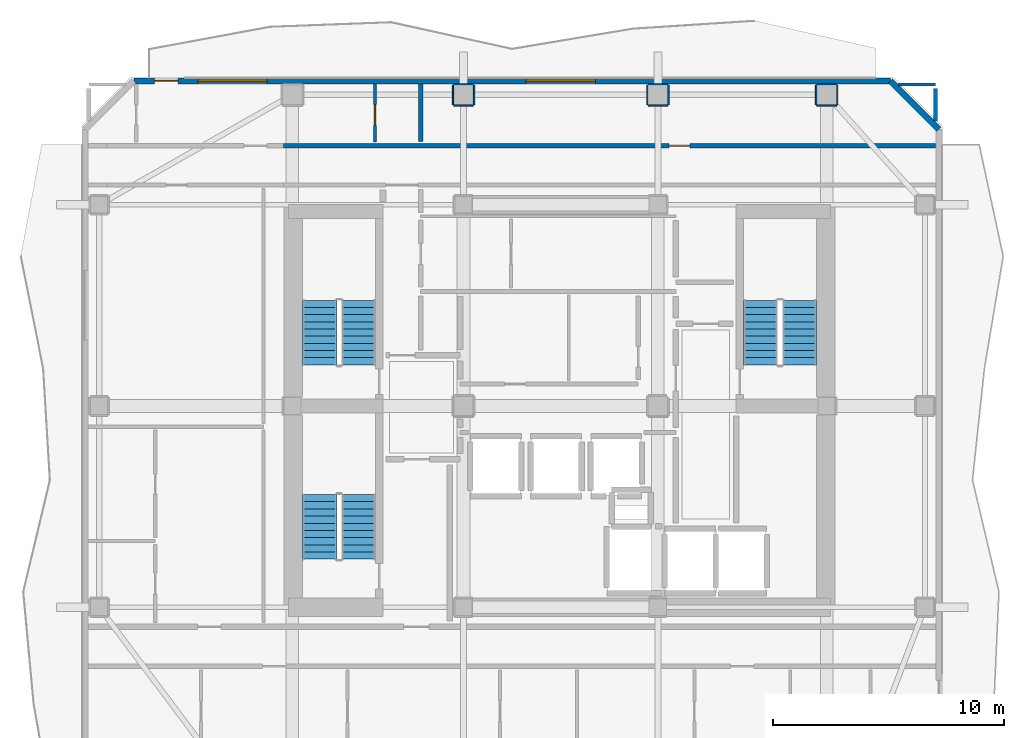
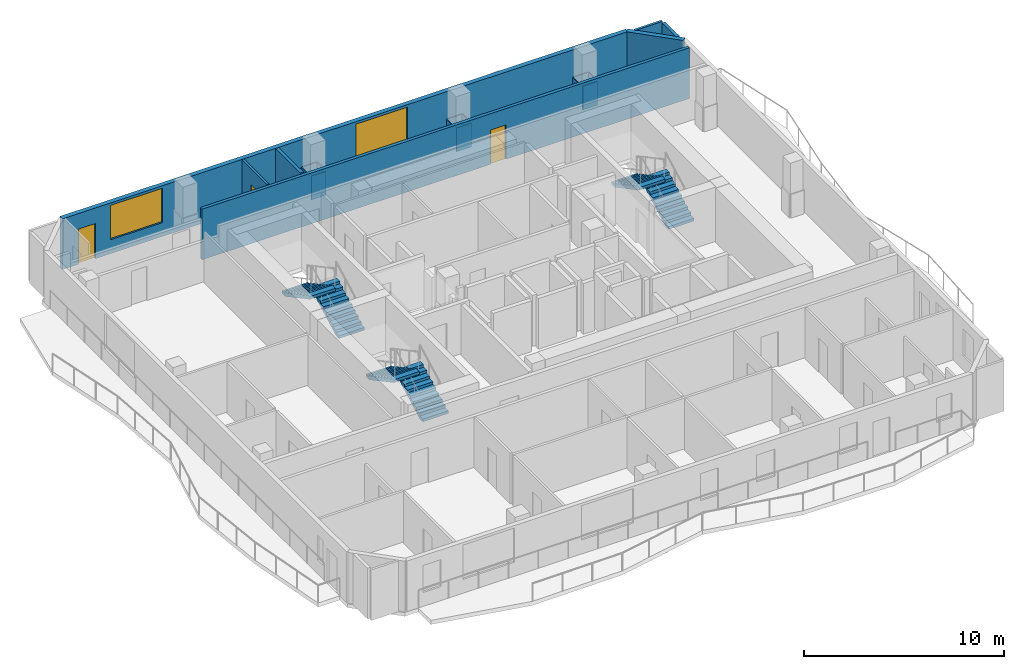
# One storey, part 6 of 10: 19 walls, 6 stair flights, 3 doors, 2 windows, 5 openings, 3 elements without a shape of their own.
"""IFC4 building model written with IfcOpenShell, lengths in metres."""

from ifc_helpers import new_model, si_unit, direction, frame, frame_2d, origin, place, context, subcontext, project, spatial, polyline, rectangle, outline, extrude, material, layer, layer_set, type_object, element, fill, aggregate, save


model = new_model("IFC4")

# Units and contexts
model_context = context("Model", 3, precision=1e-05, world=origin(), true_north=direction((0.0, 1.0)))
body_context = subcontext(model_context, "Body", "Model", "MODEL_VIEW")
ifc_project = project(units=[si_unit("LENGTHUNIT", "METRE"), si_unit("AREAUNIT", "SQUARE_METRE"), si_unit("VOLUMEUNIT", "CUBIC_METRE"), si_unit("PLANEANGLEUNIT", "RADIAN"), si_unit("MASSUNIT", "GRAM", prefix="KILO")], contexts=[model_context])

# Site, building, storey
site_placement = place(None, origin())
site = spatial("IfcSite", under=ifc_project, at=site_placement, CompositionType="ELEMENT")
building_placement = place(site_placement, origin())
building = spatial("IfcBuilding", under=site, at=building_placement, Name="Solanera Arch Residences", CompositionType="ELEMENT")
storey_placement = place(building_placement, frame((0.0, 0.0, 200.1201171875)))
storey = spatial("IfcBuildingStorey", under=building, at=storey_placement, Name="L58", CompositionType="ELEMENT", Elevation=200.1201171875)

# Walls
ifc_material_1 = material(Name="Fire-Rated Gypsum Stud Partition", Category="gypsum")
ifc_layer_1 = layer(ifc_material_1, 0.06005859375)
ifc_layer_set_1 = layer_set([ifc_layer_1], Name="Fire-Rated Gypsum Stud Partition")
wall_type_1 = type_object("IfcWallType", Name="Column Acoustic Furring Wall 60", PredefinedType="PARTITIONING", material=ifc_layer_set_1)
for number, where, z_axis, x_axis, name in (
    (1, (20.375, 43.693115234375, 0.0), (0.0, 0.0, 1.0), (1.0, 0.0, 0.0), "L58 Column Furring 12S"),
    (2, (20.375, 44.60693359375, 0.0), (0.0, 0.0, 1.0), (1.0, 0.0, 0.0), "L58 Column Furring 12N"),
):
    element("IfcWall", number, at=place(storey_placement, frame(where, z_axis=z_axis, x_axis=x_axis)), inside=storey, type_object=wall_type_1, Name=name, PredefinedType="PARTITIONING", context=body_context, shape_type="SweptSolid", body=[
        extrude(rectangle(XDim=0.85009765625, YDim=0.06005859375, at=frame_2d((0.425048828125, 0.0))), origin(), (0.0, 0.0, 1.0), 1.449951171875),
    ])
for number, where, z_axis, x_axis, name in (
    (3, (20.343017578125, 43.72509765625, 0.0), (0.0, 0.0, 1.0), (0.0, 1.0, 0.0), "L58 Column Furring 12W"),
    (4, (21.257080078125, 43.72509765625, 0.0), (0.0, 0.0, 1.0), (0.0, 1.0, 0.0), "L58 Column Furring 12E"),
):
    element("IfcWall", number, at=place(storey_placement, frame(where, z_axis=z_axis, x_axis=x_axis)), inside=storey, type_object=wall_type_1, Name=name, PredefinedType="PARTITIONING", context=body_context, shape_type="SweptSolid", body=[
        extrude(rectangle(XDim=0.849853515625, YDim=0.06005859375, at=frame_2d((0.4248046875, 0.0))), origin(), (0.0, 0.0, 1.0), 1.449951171875),
    ])
for number, where, z_axis, x_axis, name in (
    (5, (28.77490234375, 43.693115234375, 0.0), (0.0, 0.0, 1.0), (1.0, 0.0, 0.0), "L58 Column Furring 14S"),
    (6, (28.77490234375, 44.60693359375, 0.0), (0.0, 0.0, 1.0), (1.0, 0.0, 0.0), "L58 Column Furring 14N"),
):
    element("IfcWall", number, at=place(storey_placement, frame(where, z_axis=z_axis, x_axis=x_axis)), inside=storey, type_object=wall_type_1, Name=name, PredefinedType="PARTITIONING", context=body_context, shape_type="SweptSolid", body=[
        extrude(rectangle(XDim=0.85009765625, YDim=0.06005859375, at=frame_2d((0.425048828125, 0.0))), origin(), (0.0, 0.0, 1.0), 1.449951171875),
    ])
for number, where, z_axis, x_axis, name in (
    (7, (28.742919921875, 43.72509765625, 0.0), (0.0, 0.0, 1.0), (0.0, 1.0, 0.0), "L58 Column Furring 14W"),
    (8, (29.656982421875, 43.72509765625, 0.0), (0.0, 0.0, 1.0), (0.0, 1.0, 0.0), "L58 Column Furring 14E"),
):
    element("IfcWall", number, at=place(storey_placement, frame(where, z_axis=z_axis, x_axis=x_axis)), inside=storey, type_object=wall_type_1, Name=name, PredefinedType="PARTITIONING", context=body_context, shape_type="SweptSolid", body=[
        extrude(rectangle(XDim=0.849853515625, YDim=0.06005859375, at=frame_2d((0.4248046875, 0.0))), origin(), (0.0, 0.0, 1.0), 1.449951171875),
    ])
for number, where, z_axis, x_axis, name in (
    (9, (36.074951171875, 43.693115234375, 0.0), (0.0, 0.0, 1.0), (1.0, 0.0, 0.0), "L58 Column Furring 16S"),
    (10, (36.074951171875, 44.60693359375, 0.0), (0.0, 0.0, 1.0), (1.0, 0.0, 0.0), "L58 Column Furring 16N"),
):
    element("IfcWall", number, at=place(storey_placement, frame(where, z_axis=z_axis, x_axis=x_axis)), inside=storey, type_object=wall_type_1, Name=name, PredefinedType="PARTITIONING", context=body_context, shape_type="SweptSolid", body=[
        extrude(rectangle(XDim=0.85009765625, YDim=0.06005859375, at=frame_2d((0.425048828125, 0.0))), origin(), (0.0, 0.0, 1.0), 1.449951171875),
    ])
for number, where, z_axis, x_axis, name in (
    (11, (36.04296875, 43.72509765625, 0.0), (0.0, 0.0, 1.0), (0.0, 1.0, 0.0), "L58 Column Furring 16W"),
    (12, (36.95703125, 43.72509765625, 0.0), (0.0, 0.0, 1.0), (0.0, 1.0, 0.0), "L58 Column Furring 16E"),
):
    element("IfcWall", number, at=place(storey_placement, frame(where, z_axis=z_axis, x_axis=x_axis)), inside=storey, type_object=wall_type_1, Name=name, PredefinedType="PARTITIONING", context=body_context, shape_type="SweptSolid", body=[
        extrude(rectangle(XDim=0.849853515625, YDim=0.06005859375, at=frame_2d((0.4248046875, 0.0))), origin(), (0.0, 0.0, 1.0), 1.449951171875),
    ])

# Wall, opening, door
ifc_material_2 = material(Name="Autoclaved Aerated Concrete Blockwork", Category="masonry")
ifc_layer_2 = layer(ifc_material_2, 0.179931640625)
ifc_layer_set_2 = layer_set([ifc_layer_2], Name="Autoclaved Aerated Concrete Blockwork")
wall_type_2 = type_object("IfcWallType", Name="Corridor Fire Partition 180", PredefinedType="PARTITIONING", material=ifc_layer_set_2)
wall_1_placement = place(storey_placement, frame((13.011962890625, 41.949951171875, 0.0), z_axis=(0.0, 0.0, 1.0), x_axis=(1.0, 0.0, 0.0)))
wall_1 = element("IfcWall", 13, at=wall_1_placement, inside=storey, type_object=wall_type_2, Name="L58 Interior Partition H12 3", PredefinedType="PARTITIONING", context=body_context, shape_type="SweptSolid", body=[
    extrude(rectangle(XDim=28.200927734375, YDim=0.179931640625, at=frame_2d((14.1005859375, 0.0))), origin(), (0.0, 0.0, 1.0), 3.099853515625),
])
opening_1_placement = place(wall_1_placement, frame((16.674072265625, 0.0, 0.0)))
opening_1 = element("IfcOpeningElement", 14, at=opening_1_placement, cuts=wall_1, Name="Opening DI-02", PredefinedType="OPENING", context=body_context, shape_type="SweptSolid", body=[
    extrude(rectangle(XDim=0.89990234375, YDim=2.10009765625, at=frame_2d((0.449951171875, 1.050048828125))), frame((0.0, 0.10009765625, 0.0), z_axis=(0.0, -1.0, 0.0), x_axis=(1.0, 0.0, 0.0)), (0.0, 0.0, 1.0), 0.1999),
])
ifc_material_3 = material(Name="Fire-Rated Architectural Hardwood", Category="wood")
door_type_1 = type_object("IfcDoorType", Name="Suite Room Swing Door DI-02", OperationType="NOTDEFINED", PredefinedType="DOOR", material=ifc_material_3)
door_1_placement = place(opening_1_placement, origin())
door_1 = element("IfcDoor", 15, at=door_1_placement, inside=storey, type_object=door_type_1, Name="DR-L58-IN-031", OperationType="SINGLE_SWING_LEFT", OverallHeight=2.10009765625, OverallWidth=0.89990234375, PredefinedType="DOOR", context=body_context, shape_type="SweptSolid", body=[
    extrude(rectangle(XDim=0.89990234375, YDim=2.10009765625, at=frame_2d((0.449951171875, 1.050048828125))), frame((0.0, 0.02490234375, 0.0), z_axis=(0.0, -1.0, 0.0), x_axis=(1.0, 0.0, 0.0)), (0.0, 0.0, 1.0), 0.050048828125),
])
fill(opening_1, door_1)

# Walls
wall_2_placement = place(storey_placement, frame((18.949951171875, 42.137939453125, 0.0), z_axis=(0.0, 0.0, 1.0), x_axis=(0.0, 1.0, 0.0)))
element("IfcWall", 16, at=wall_2_placement, inside=storey, type_object=wall_type_2, Name="L58 Interior Partition V8", PredefinedType="PARTITIONING", context=body_context, shape_type="SweptSolid", body=[
    extrude(rectangle(XDim=2.47509765625, YDim=0.179931640625, at=frame_2d((1.237548828125, 0.0))), origin(), (0.0, 0.0, 1.0), 3.099853515625),
])
wall_3_placement = place(storey_placement, frame((41.199951171875, 43.010986328125, 0.0), z_axis=(0.0, 0.0, 1.0), x_axis=(0.0, 1.0, 0.0)))
element("IfcWall", 17, at=wall_3_placement, inside=storey, type_object=wall_type_2, Name="L58 Interior Partition V11", PredefinedType="PARTITIONING", context=body_context, shape_type="SweptSolid", body=[
    extrude(rectangle(XDim=1.4208984375, YDim=0.179931640625, at=frame_2d((0.71044921875, 0.0))), origin(), (0.0, 0.0, 1.0), 3.099853515625),
])

# Wall, openings, door, windows
ifc_material_4 = material(Name="Precast Concrete C35/45", Category="concrete")
ifc_layer_3 = layer(ifc_material_4, 0.260009765625)
ifc_layer_set_3 = layer_set([ifc_layer_3], Name="Precast Concrete C35/45")
wall_type_3 = type_object("IfcWallType", Name="Exterior Wall Precast Masonry-Frame 260", PredefinedType="STANDARD", material=ifc_layer_set_3)
wall_4_placement = place(storey_placement, frame((6.544921875, 44.7548828125, 0.0), z_axis=(0.0, 0.0, 1.0), x_axis=(1.0, 0.0, 0.0)))
wall_4 = element("IfcWall", 18, at=wall_4_placement, inside=storey, type_object=wall_type_3, Name="L58 Tower Exterior Precast Masonry-Frame Wall N", PredefinedType="STANDARD", context=body_context, shape_type="SweptSolid", body=[
    extrude(rectangle(XDim=32.7099609375, YDim=0.260009765625, at=frame_2d((16.35498046875, 0.0))), origin(), (0.0, 0.0, 1.0), 3.099853515625),
])
opening_2_placement = place(wall_4_placement, frame((0.906982421875, 0.0, 0.0)))
opening_2 = element("IfcOpeningElement", 19, at=opening_2_placement, cuts=wall_4, Name="Opening DB-01", PredefinedType="OPENING", context=body_context, shape_type="SweptSolid", body=[
    extrude(rectangle(XDim=1.0, YDim=2.14990234375, at=frame_2d((0.5, 1.074951171875))), frame((0.0, 0.139892578125, 0.0), z_axis=(0.0, -1.0, 0.0), x_axis=(1.0, 0.0, 0.0)), (0.0, 0.0, 1.0), 0.28),
])
opening_3_placement = place(wall_4_placement, frame((2.76806640625, 0.0, 0.85009765625)))
opening_3 = element("IfcOpeningElement", 20, at=opening_3_placement, cuts=wall_4, Name="Opening W-12", PredefinedType="OPENING", context=body_context, shape_type="SweptSolid", body=[
    extrude(rectangle(XDim=3.0, YDim=2.10009765625, at=frame_2d((1.5, 1.050048828125))), frame((0.0, 0.139892578125, 0.0), z_axis=(0.0, -1.0, 0.0), x_axis=(1.0, 0.0, 0.0)), (0.0, 0.0, 1.0), 0.28),
])
opening_4_placement = place(wall_4_placement, frame((16.955078125, 0.0, 0.85009765625)))
opening_4 = element("IfcOpeningElement", 21, at=opening_4_placement, cuts=wall_4, Name="Opening W-12", PredefinedType="OPENING", context=body_context, shape_type="SweptSolid", body=[
    extrude(rectangle(XDim=3.0, YDim=2.10009765625, at=frame_2d((1.5, 1.050048828125))), frame((0.0, 0.139892578125, 0.0), z_axis=(0.0, -1.0, 0.0), x_axis=(1.0, 0.0, 0.0)), (0.0, 0.0, 1.0), 0.28),
])
ifc_material_5 = material(Name="Anodised Aluminium Alloy 6063-T6", Category="aluminium")
door_type_2 = type_object("IfcDoorType", Name="Glazed Balcony Swing Door DB-01", OperationType="NOTDEFINED", PredefinedType="DOOR", material=ifc_material_5)
door_2_placement = place(opening_2_placement, origin())
door_2 = element("IfcDoor", 22, at=door_2_placement, inside=storey, type_object=door_type_2, Name="DR-L58-OUT-02", OperationType="SINGLE_SWING_LEFT", OverallHeight=2.14990234375, OverallWidth=1.0, PredefinedType="DOOR", context=body_context, shape_type="SweptSolid", body=[
    extrude(rectangle(XDim=1.0, YDim=2.14990234375, at=frame_2d((0.5, 1.074951171875))), frame((0.0, 0.02490234375, 0.0), z_axis=(0.0, -1.0, 0.0), x_axis=(1.0, 0.0, 0.0)), (0.0, 0.0, 1.0), 0.050048828125),
])
fill(opening_2, door_2)
ifc_material_6 = material(Name="Double Glazed Low-E Laminated Glass", Category="glass")
window_type = type_object("IfcWindowType", Name="Punched Window W-12", PartitioningType="TRIPLE_PANEL_VERTICAL", PredefinedType="WINDOW", material=ifc_material_6)
window_1_placement = place(opening_3_placement, origin())
window_1 = element("IfcWindow", 23, at=window_1_placement, inside=storey, type_object=window_type, Name="L58 5803-LIV Punched Window", OverallHeight=2.10009765625, OverallWidth=3.0, PartitioningType="SINGLE_PANEL", PredefinedType="WINDOW", context=body_context, shape_type="SweptSolid", body=[
    extrude(rectangle(XDim=3.0, YDim=2.10009765625, at=frame_2d((1.5, 1.050048828125))), frame((0.0, 0.030029296875, 0.0), z_axis=(0.0, -1.0, 0.0), x_axis=(1.0, 0.0, 0.0)), (0.0, 0.0, 1.0), 0.06005859375),
])
fill(opening_3, window_1)
window_2_placement = place(opening_4_placement, origin())
window_2 = element("IfcWindow", 24, at=window_2_placement, inside=storey, type_object=window_type, Name="L58 AMN-LIB Punched Window", OverallHeight=2.10009765625, OverallWidth=3.0, PartitioningType="SINGLE_PANEL", PredefinedType="WINDOW", context=body_context, shape_type="SweptSolid", body=[
    extrude(rectangle(XDim=3.0, YDim=2.10009765625, at=frame_2d((1.5, 1.050048828125))), frame((0.0, 0.030029296875, 0.0), z_axis=(0.0, -1.0, 0.0), x_axis=(1.0, 0.0, 0.0)), (0.0, 0.0, 1.0), 0.06005859375),
])
fill(opening_4, window_2)

# Wall
wall_5_placement = place(storey_placement, frame((39.2548828125, 44.7548828125, 0.0), z_axis=(0.0, 0.0, 1.0), x_axis=(0.707147883682, -0.707065676302, 0.0)))
element("IfcWall", 25, at=wall_5_placement, inside=storey, type_object=wall_type_3, Name="L58 Tower Exterior Precast Masonry-Frame Wall CH3", PredefinedType="STANDARD", context=body_context, shape_type="SweptSolid", body=[
    extrude(rectangle(XDim=2.9697265625, YDim=0.260009765625, at=frame_2d((1.48486328125, 0.0))), origin(), (0.0, 0.0, 1.0), 3.099853515625),
])

# Wall, opening, door
ifc_material_7 = material(Name="Fire-Rated Gypsum Stud Partition", Category="gypsum")
ifc_layer_4 = layer(ifc_material_7, 0.1201171875)
ifc_layer_set_4 = layer_set([ifc_layer_4], Name="Fire-Rated Gypsum Stud Partition")
wall_type_4 = type_object("IfcWallType", Name="Unit Drywall Partition 120", PredefinedType="PARTITIONING", material=ifc_layer_set_4)
wall_6_placement = place(storey_placement, frame((16.969970703125, 42.10791015625, 0.0), z_axis=(0.0, 0.0, 1.0), x_axis=(0.0, 1.0, 0.0)))
wall_6 = element("IfcWall", 26, at=wall_6_placement, inside=storey, type_object=wall_type_4, Name="L58 Interior Partition V19", PredefinedType="PARTITIONING", context=body_context, shape_type="SweptSolid", body=[
    extrude(rectangle(XDim=2.505126953125, YDim=0.1201171875, at=frame_2d((1.25244140625, 0.0))), origin(), (0.0, 0.0, 1.0), 3.099853515625),
])
opening_5_placement = place(wall_6_placement, frame((0.717041015625, 0.0, 0.0)))
opening_5 = element("IfcOpeningElement", 27, at=opening_5_placement, cuts=wall_6, Name="Opening DI-02", PredefinedType="OPENING", context=body_context, shape_type="SweptSolid", body=[
    extrude(rectangle(XDim=0.89990234375, YDim=2.10009765625, at=frame_2d((0.449951171875, 1.050048828125))), frame((0.0, 0.070068359375, 0.0), z_axis=(0.0, -1.0, 0.0), x_axis=(1.0, 0.0, 0.0)), (0.0, 0.0, 1.0), 0.1401),
])
door_3_placement = place(opening_5_placement, origin())
door_3 = element("IfcDoor", 28, at=door_3_placement, inside=storey, type_object=door_type_1, Name="DR-L58-IN-030", OperationType="SINGLE_SWING_RIGHT", OverallHeight=2.10009765625, OverallWidth=0.89990234375, PredefinedType="DOOR", context=body_context, shape_type="SweptSolid", body=[
    extrude(rectangle(XDim=0.89990234375, YDim=2.10009765625, at=frame_2d((0.449951171875, 1.050048828125))), frame((0.0, 0.02490234375, 0.0), z_axis=(0.0, -1.0, 0.0), x_axis=(1.0, 0.0, 0.0)), (0.0, 0.0, 1.0), 0.050048828125),
])
fill(opening_5, door_3)

# Wall
ifc_material_8 = material(Name="Autoclaved Aerated Concrete Blockwork", Category="masonry")
ifc_layer_5 = layer(ifc_material_8, 0.139892578125)
ifc_layer_set_5 = layer_set([ifc_layer_5], Name="Autoclaved Aerated Concrete Blockwork")
wall_type_5 = type_object("IfcWallType", Name="Wet-Room Partition 140", PredefinedType="PARTITIONING", material=ifc_layer_set_5)
wall_7_placement = place(storey_placement, frame((39.611083984375, 44.60009765625, 0.0), z_axis=(0.0, 0.0, 1.0), x_axis=(1.0, 0.0, 0.0)))
element("IfcWall", 29, at=wall_7_placement, inside=storey, type_object=wall_type_5, Name="L58 Interior Partition H18 2", PredefinedType="PARTITIONING", context=body_context, shape_type="SweptSolid", body=[
    extrude(rectangle(XDim=1.5888671875, YDim=0.139892578125, at=frame_2d((0.79443359375, 0.0))), origin(), (0.0, 0.0, 1.0), 3.099853515625),
])

# Stair, stair flights
ifc_material_9 = material(Name="Concrete C40/50 (f'c = 45 MPa)", Category="concrete")
stair_type = type_object("IfcStairType", Name="Tower Dogleg Exit Stair 1480", PredefinedType="HALF_TURN_STAIR", material=ifc_material_9)
stair_1_placement = place(storey_placement, origin())
stair_1 = element("IfcStair", 30, at=stair_1_placement, inside=storey, type_object=stair_type, Name="L58 Tower Core Exit Stair 1", PredefinedType="HALF_TURN_STAIR")
ifc_material_10 = material(Name="Concrete C40/50 (f'c = 45 MPa)", Category="concrete")
stair_flight_type = type_object("IfcStairFlightType", Name="Tower Precast Stair Flight 1480", PredefinedType="STRAIGHT", material=ifc_material_10)
stair_flight_1_placement = place(storey_placement, frame((16.260009765625, 32.47998046875, 0.0), z_axis=(0.0, 0.0, 1.0), x_axis=(0.0, 1.0, 0.0)))
stair_flight_1 = element("IfcStairFlight", 31, at=stair_flight_1_placement, type_object=stair_flight_type, Name="ST-T1 flight 1", NumberOfRisers=10, NumberOfTreads=9, PredefinedType="STRAIGHT", RiserHeight=0.166, TreadLength=0.31, context=body_context, shape_type="SweptSolid", body=[
    extrude(outline(polyline([(0.0, 0.0), (0.0, 0.166015625), (0.31005859375, 0.166015625), (0.31005859375, 0.33203125), (0.6201171875, 0.33203125), (0.6201171875, 0.498046875), (0.929931640625, 0.498046875), (0.929931640625, 0.6640625), (1.239990234375, 0.6640625), (1.239990234375, 0.830078125), (1.550048828125, 0.830078125), (1.550048828125, 0.99609375), (1.860107421875, 0.99609375), (1.860107421875, 1.162109375), (2.169921875, 1.162109375), (2.169921875, 1.327880859375), (2.47998046875, 1.327880859375), (2.47998046875, 1.493896484375), (2.7900390625, 1.493896484375), (2.7900390625, 1.659912109375), (2.7900390625, 1.323974609375), (0.317626953125, 0.0), (0.0, 0.0)])), frame((0.0, 0.739990234375, 0.0), z_axis=(0.0, -1.0, 0.0), x_axis=(1.0, 0.0, 0.0)), (0.0, 0.0, 1.0), 1.47998046875),
])
stair_flight_2_placement = place(storey_placement, frame((14.580078125, 35.27001953125, 1.659912109375), z_axis=(0.0, 0.0, 1.0), x_axis=(0.0, -1.0, 0.0)))
stair_flight_2 = element("IfcStairFlight", 32, at=stair_flight_2_placement, type_object=stair_flight_type, Name="ST-T1 flight 2", NumberOfRisers=10, NumberOfTreads=9, PredefinedType="STRAIGHT", RiserHeight=0.166, TreadLength=0.31, context=body_context, shape_type="SweptSolid", body=[
    extrude(outline(polyline([(0.0, 0.0), (0.0, 0.166015625), (0.31005859375, 0.166015625), (0.31005859375, 0.33203125), (0.6201171875, 0.33203125), (0.6201171875, 0.498046875), (0.929931640625, 0.498046875), (0.929931640625, 0.6640625), (1.239990234375, 0.6640625), (1.239990234375, 0.830078125), (1.550048828125, 0.830078125), (1.550048828125, 0.99609375), (1.860107421875, 0.99609375), (1.860107421875, 1.162109375), (2.169921875, 1.162109375), (2.169921875, 1.327880859375), (2.47998046875, 1.327880859375), (2.47998046875, 1.493896484375), (2.7900390625, 1.493896484375), (2.7900390625, 1.659912109375), (2.7900390625, 1.323974609375), (0.317626953125, 0.0), (0.0, 0.0)])), frame((0.0, 0.739990234375, 0.0), z_axis=(0.0, -1.0, 0.0), x_axis=(1.0, 0.0, 0.0)), (0.0, 0.0, 1.0), 1.47998046875),
])
aggregate(stair_1, [stair_flight_1, stair_flight_2])

stair_2_placement = place(storey_placement, origin())
stair_2 = element("IfcStair", 33, at=stair_2_placement, inside=storey, type_object=stair_type, Name="L58 Tower Core Exit Stair 2", PredefinedType="HALF_TURN_STAIR")
stair_flight_3_placement = place(storey_placement, frame((35.320068359375, 32.47998046875, 0.0), z_axis=(0.0, 0.0, 1.0), x_axis=(0.0, 1.0, 0.0)))
stair_flight_3 = element("IfcStairFlight", 34, at=stair_flight_3_placement, type_object=stair_flight_type, Name="ST-T2 flight 1", NumberOfRisers=10, NumberOfTreads=9, PredefinedType="STRAIGHT", RiserHeight=0.166, TreadLength=0.31, context=body_context, shape_type="SweptSolid", body=[
    extrude(outline(polyline([(0.0, 0.0), (0.0, 0.166015625), (0.31005859375, 0.166015625), (0.31005859375, 0.33203125), (0.6201171875, 0.33203125), (0.6201171875, 0.498046875), (0.929931640625, 0.498046875), (0.929931640625, 0.6640625), (1.239990234375, 0.6640625), (1.239990234375, 0.830078125), (1.550048828125, 0.830078125), (1.550048828125, 0.99609375), (1.860107421875, 0.99609375), (1.860107421875, 1.162109375), (2.169921875, 1.162109375), (2.169921875, 1.327880859375), (2.47998046875, 1.327880859375), (2.47998046875, 1.493896484375), (2.7900390625, 1.493896484375), (2.7900390625, 1.659912109375), (2.7900390625, 1.323974609375), (0.317626953125, 0.0), (0.0, 0.0)])), frame((0.0, 0.739990234375, 0.0), z_axis=(0.0, -1.0, 0.0), x_axis=(1.0, 0.0, 0.0)), (0.0, 0.0, 1.0), 1.47998046875),
])
stair_flight_4_placement = place(storey_placement, frame((33.639892578125, 35.27001953125, 1.659912109375), z_axis=(0.0, 0.0, 1.0), x_axis=(0.0, -1.0, 0.0)))
stair_flight_4 = element("IfcStairFlight", 35, at=stair_flight_4_placement, type_object=stair_flight_type, Name="ST-T2 flight 2", NumberOfRisers=10, NumberOfTreads=9, PredefinedType="STRAIGHT", RiserHeight=0.166, TreadLength=0.31, context=body_context, shape_type="SweptSolid", body=[
    extrude(outline(polyline([(0.0, 0.0), (0.0, 0.166015625), (0.31005859375, 0.166015625), (0.31005859375, 0.33203125), (0.6201171875, 0.33203125), (0.6201171875, 0.498046875), (0.929931640625, 0.498046875), (0.929931640625, 0.6640625), (1.239990234375, 0.6640625), (1.239990234375, 0.830078125), (1.550048828125, 0.830078125), (1.550048828125, 0.99609375), (1.860107421875, 0.99609375), (1.860107421875, 1.162109375), (2.169921875, 1.162109375), (2.169921875, 1.327880859375), (2.47998046875, 1.327880859375), (2.47998046875, 1.493896484375), (2.7900390625, 1.493896484375), (2.7900390625, 1.659912109375), (2.7900390625, 1.323974609375), (0.317626953125, 0.0), (0.0, 0.0)])), frame((0.0, 0.739990234375, 0.0), z_axis=(0.0, -1.0, 0.0), x_axis=(1.0, 0.0, 0.0)), (0.0, 0.0, 1.0), 1.47998046875),
])
aggregate(stair_2, [stair_flight_3, stair_flight_4])

stair_3_placement = place(storey_placement, origin())
stair_3 = element("IfcStair", 36, at=stair_3_placement, inside=storey, type_object=stair_type, Name="L58 Tower Core Exit Stair 3", PredefinedType="HALF_TURN_STAIR")
stair_flight_5_placement = place(storey_placement, frame((16.260009765625, 24.080078125, 0.0), z_axis=(0.0, 0.0, 1.0), x_axis=(0.0, 1.0, 0.0)))
stair_flight_5 = element("IfcStairFlight", 37, at=stair_flight_5_placement, type_object=stair_flight_type, Name="ST-T3 flight 1", NumberOfRisers=10, NumberOfTreads=9, PredefinedType="STRAIGHT", RiserHeight=0.166, TreadLength=0.31, context=body_context, shape_type="SweptSolid", body=[
    extrude(outline(polyline([(0.0, 0.0), (0.0, 0.166015625), (0.31005859375, 0.166015625), (0.31005859375, 0.33203125), (0.6201171875, 0.33203125), (0.6201171875, 0.498046875), (0.929931640625, 0.498046875), (0.929931640625, 0.6640625), (1.239990234375, 0.6640625), (1.239990234375, 0.830078125), (1.550048828125, 0.830078125), (1.550048828125, 0.99609375), (1.860107421875, 0.99609375), (1.860107421875, 1.162109375), (2.169921875, 1.162109375), (2.169921875, 1.327880859375), (2.47998046875, 1.327880859375), (2.47998046875, 1.493896484375), (2.7900390625, 1.493896484375), (2.7900390625, 1.659912109375), (2.7900390625, 1.323974609375), (0.317626953125, 0.0), (0.0, 0.0)])), frame((0.0, 0.739990234375, 0.0), z_axis=(0.0, -1.0, 0.0), x_axis=(1.0, 0.0, 0.0)), (0.0, 0.0, 1.0), 1.47998046875),
])
stair_flight_6_placement = place(storey_placement, frame((14.580078125, 26.8701171875, 1.659912109375), z_axis=(0.0, 0.0, 1.0), x_axis=(0.0, -1.0, 0.0)))
stair_flight_6 = element("IfcStairFlight", 38, at=stair_flight_6_placement, type_object=stair_flight_type, Name="ST-T3 flight 2", NumberOfRisers=10, NumberOfTreads=9, PredefinedType="STRAIGHT", RiserHeight=0.166, TreadLength=0.31, context=body_context, shape_type="SweptSolid", body=[
    extrude(outline(polyline([(0.0, 0.0), (0.0, 0.166015625), (0.31005859375, 0.166015625), (0.31005859375, 0.33203125), (0.6201171875, 0.33203125), (0.6201171875, 0.498046875), (0.929931640625, 0.498046875), (0.929931640625, 0.6640625), (1.239990234375, 0.6640625), (1.239990234375, 0.830078125), (1.550048828125, 0.830078125), (1.550048828125, 0.99609375), (1.860107421875, 0.99609375), (1.860107421875, 1.162109375), (2.169921875, 1.162109375), (2.169921875, 1.327880859375), (2.47998046875, 1.327880859375), (2.47998046875, 1.493896484375), (2.7900390625, 1.493896484375), (2.7900390625, 1.659912109375), (2.7900390625, 1.323974609375), (0.317626953125, 0.0), (0.0, 0.0)])), frame((0.0, 0.739990234375, 0.0), z_axis=(0.0, -1.0, 0.0), x_axis=(1.0, 0.0, 0.0)), (0.0, 0.0, 1.0), 1.47998046875),
])
aggregate(stair_3, [stair_flight_5, stair_flight_6])

save(model, "model.ifc")
